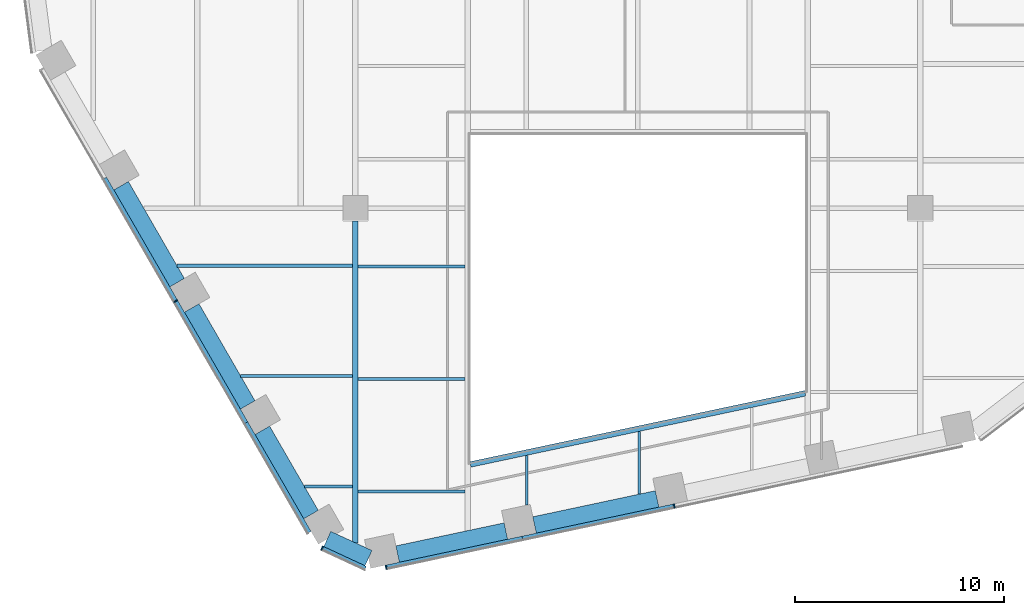
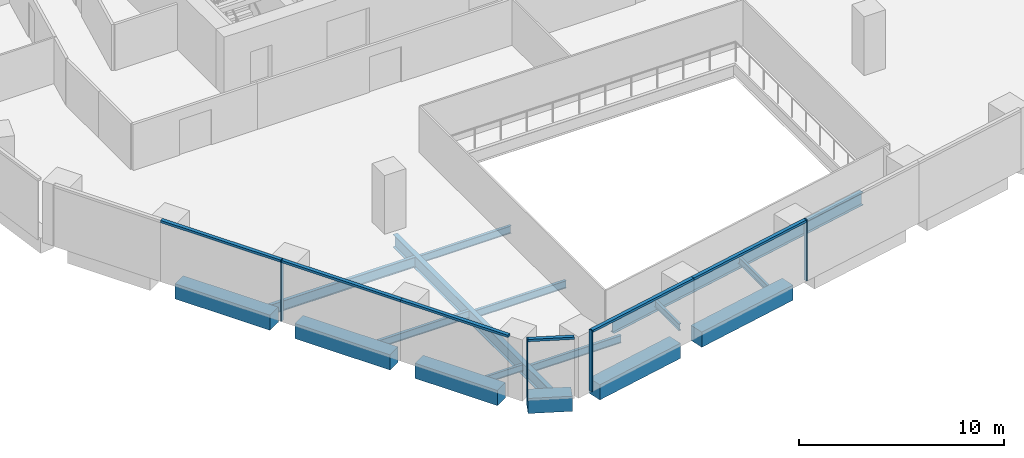
# One storey, part 2 of 16: 16 beams, 10 members, 3 elements without a shape of their own.
"""IFC4 building model written with IfcOpenShell, lengths in metres."""

from ifc_helpers import new_model, si_unit, direction, frame, origin, origin_2d, place, context, subcontext, project, spatial, rectangle, i_section, extrude, material, layer, layer_set, material_profile, profile_set, type_object, element, aggregate, save


model = new_model("IFC4")

# Units and contexts
model_context = context("Model", 3, precision=1e-05, world=origin(), true_north=direction((0.0, 1.0)))
body_context = subcontext(model_context, "Body", "Model", "MODEL_VIEW")
ifc_project = project(units=[si_unit("LENGTHUNIT", "METRE"), si_unit("AREAUNIT", "SQUARE_METRE"), si_unit("VOLUMEUNIT", "CUBIC_METRE"), si_unit("PLANEANGLEUNIT", "RADIAN"), si_unit("MASSUNIT", "GRAM", prefix="KILO")], contexts=[model_context])

# Site, building, storey
site_placement = place(None, origin())
site = spatial("IfcSite", under=ifc_project, at=site_placement, CompositionType="ELEMENT")
building_placement = place(site_placement, origin())
building = spatial("IfcBuilding", under=site, at=building_placement, Name="Isthmus Gate Tower", CompositionType="ELEMENT")
storey_placement = place(building_placement, frame((0.0, 0.0, 137.10009765625)))
storey = spatial("IfcBuildingStorey", under=building, at=storey_placement, Name="L33", CompositionType="ELEMENT", Elevation=137.10009765625)

# Curtain wall, member
ifc_material_1 = material(Name="Aluminium, pale champagne anodised", Category="aluminium")
ifc_layer = layer(ifc_material_1, 0.199951171875)
ifc_layer_set = layer_set([ifc_layer], Name="CW-1 UNITISED CURTAIN WALL 200 DEEP")
curtain_wall_type = type_object("IfcCurtainWallType", Name="CW-1 UNITISED CURTAIN WALL 200 DEEP", PredefinedType="NOTDEFINED", material=ifc_layer_set)
curtain_wall_1_placement = place(storey_placement, origin())
curtain_wall_1 = element("IfcCurtainWall", 1, at=curtain_wall_1_placement, inside=storey, type_object=curtain_wall_type, Name="CW-1 SW L33", PredefinedType="NOTDEFINED")
ifc_material_2 = material(Name="Aluminium, pale champagne anodised", Category="aluminium")
ifc_material_profile_1 = material_profile(ifc_material_2, rectangle(XDim=0.06005859375, YDim=0.199951171875, at=origin_2d()), Name="60x200")
ifc_profile_set_1 = profile_set([ifc_material_profile_1], Name="Aluminium, pale champagne anodised")
member_type_1 = type_object("IfcMemberType", Name="CW-1 MULLION 60 X 200", PredefinedType="MULLION", material=ifc_profile_set_1)
member_1_placement = place(storey_placement, frame((-22.08935546875, -17.93994140625, 0.0), z_axis=(0.0, 0.0, 1.0), x_axis=(0.5, -0.866025403784, 0.0)))
member_1 = element("IfcMember", 2, at=member_1_placement, type_object=member_type_1, Name="CW-1 mullion", PredefinedType="MULLION", context=body_context, shape_type="SweptSolid", body=[
    extrude(rectangle(XDim=0.06005859375, YDim=0.199951171875, at=origin_2d()), origin(), (0.0, 0.0, 1.0), 3.64990234375),
])

curtain_wall_2_placement = place(storey_placement, origin())
curtain_wall_2 = element("IfcCurtainWall", 3, at=curtain_wall_2_placement, inside=storey, type_object=curtain_wall_type, Name="CW-1 SW-S L33", PredefinedType="NOTDEFINED")
member_2_placement = place(storey_placement, frame((-15.091064453125, -29.74755859375, 0.0), z_axis=(0.0, 0.0, 1.0), x_axis=(0.907256261367, -0.420578264073, 0.0)))
member_2 = element("IfcMember", 4, at=member_2_placement, type_object=member_type_1, Name="CW-1 mullion", PredefinedType="MULLION", context=body_context, shape_type="SweptSolid", body=[
    extrude(rectangle(XDim=0.06005859375, YDim=0.199951171875, at=origin_2d()), origin(), (0.0, 0.0, 1.0), 3.64990234375),
])

# Curtain wall, members
curtain_wall_3_placement = place(storey_placement, origin())
curtain_wall_3 = element("IfcCurtainWall", 5, at=curtain_wall_3_placement, inside=storey, type_object=curtain_wall_type, Name="CW-1 S L33", PredefinedType="NOTDEFINED")
member_3_placement = place(storey_placement, frame((-12.03369140625, -30.66015625, 0.0), z_axis=(0.0, 0.0, 1.0), x_axis=(0.978147600734, 0.207911690818, 0.0)))
member_3 = element("IfcMember", 6, at=member_3_placement, type_object=member_type_1, Name="CW-1 mullion", PredefinedType="MULLION", context=body_context, shape_type="SweptSolid", body=[
    extrude(rectangle(XDim=0.06005859375, YDim=0.199951171875, at=origin_2d()), origin(), (0.0, 0.0, 1.0), 3.64990234375),
])
member_4_placement = place(storey_placement, frame((1.740234375, -27.732421875, 0.0), z_axis=(0.0, 0.0, 1.0), x_axis=(0.978147600734, 0.207911690818, 0.0)))
member_4 = element("IfcMember", 7, at=member_4_placement, type_object=member_type_1, Name="CW-1 mullion", PredefinedType="MULLION", context=body_context, shape_type="SweptSolid", body=[
    extrude(rectangle(XDim=0.06005859375, YDim=0.199951171875, at=origin_2d()), origin(), (0.0, 0.0, 1.0), 3.64990234375),
])

# Member
ifc_material_3 = material(Name="Aluminium, pale champagne anodised", Category="aluminium")
ifc_material_profile_2 = material_profile(ifc_material_3, rectangle(XDim=0.199951171875, YDim=0.139892578125, at=origin_2d()), Name="200x140")
ifc_profile_set_2 = profile_set([ifc_material_profile_2], Name="Aluminium, pale champagne anodised")
member_type_2 = type_object("IfcMemberType", Name="CW-1 TRANSOM 200 X 140", PredefinedType="USERDEFINED", material=ifc_profile_set_2)
member_5_placement = place(storey_placement, frame((-25.4794921875, -12.068115234375, 3.579833984375), z_axis=(0.49998230858, -0.86603561769, 0.0), x_axis=(0.86603561769, 0.49998230858, 0.0)))
member_5 = element("IfcMember", 8, at=member_5_placement, type_object=member_type_2, Name="CW-1 transom", ObjectType="TRANSOM", PredefinedType="USERDEFINED", context=body_context, shape_type="SweptSolid", body=[
    extrude(rectangle(XDim=0.199951171875, YDim=0.139892578125, at=origin_2d()), origin(), (0.0, 0.0, 1.0), 6.750244140625),
])

member_6_placement = place(storey_placement, frame((-22.074462890625, -17.9658203125, 3.579833984375), z_axis=(0.499981482168, -0.866036094796, 0.0), x_axis=(0.866036094796, 0.499981482168, 0.0)))
member_6 = element("IfcMember", 9, at=member_6_placement, type_object=member_type_2, Name="CW-1 transom", ObjectType="TRANSOM", PredefinedType="USERDEFINED", context=body_context, shape_type="SweptSolid", body=[
    extrude(rectangle(XDim=0.199951171875, YDim=0.139892578125, at=origin_2d()), origin(), (0.0, 0.0, 1.0), 6.690185546875),
])

member_7_placement = place(storey_placement, frame((-18.7294921875, -23.759765625, 3.579833984375), z_axis=(0.50001470477, -0.866016913815, 0.0), x_axis=(0.866016913815, 0.50001470477, 0.0)))
member_7 = element("IfcMember", 10, at=member_7_placement, type_object=member_type_2, Name="CW-1 transom", ObjectType="TRANSOM", PredefinedType="USERDEFINED", context=body_context, shape_type="SweptSolid", body=[
    extrude(rectangle(XDim=0.199951171875, YDim=0.139892578125, at=origin_2d()), origin(), (0.0, 0.0, 1.0), 6.050048828125),
])

aggregate(curtain_wall_1, [member_5, member_1, member_6, member_7])

member_8_placement = place(storey_placement, frame((-15.06396484375, -29.76025390625, 3.579833984375), z_axis=(0.907246225564, -0.420599912268, 0.0), x_axis=(0.420599912268, 0.907246225564, 0.0)))
member_8 = element("IfcMember", 11, at=member_8_placement, type_object=member_type_2, Name="CW-1 transom", ObjectType="TRANSOM", PredefinedType="USERDEFINED", context=body_context, shape_type="SweptSolid", body=[
    extrude(rectangle(XDim=0.199951171875, YDim=0.139892578125, at=origin_2d()), origin(), (0.0, 0.0, 1.0), 2.258544921875),
])

aggregate(curtain_wall_2, [member_2, member_8])

member_9_placement = place(storey_placement, frame((-12.00439453125, -30.65380859375, 3.579833984375), z_axis=(0.97814593552, 0.207919524877, 0.0), x_axis=(-0.207919524877, 0.97814593552, 0.0)))
member_9 = element("IfcMember", 12, at=member_9_placement, type_object=member_type_2, Name="CW-1 transom", ObjectType="TRANSOM", PredefinedType="USERDEFINED", context=body_context, shape_type="SweptSolid", body=[
    extrude(rectangle(XDim=0.199951171875, YDim=0.139892578125, at=origin_2d()), origin(), (0.0, 0.0, 1.0), 6.630859375),
])

member_10_placement = place(storey_placement, frame((-5.5185546875, -29.275146484375, 3.579833984375), z_axis=(0.978147683684, 0.207911300568, 0.0), x_axis=(-0.207911300568, 0.978147683684, 0.0)))
member_10 = element("IfcMember", 13, at=member_10_placement, type_object=member_type_2, Name="CW-1 transom", ObjectType="TRANSOM", PredefinedType="USERDEFINED", context=body_context, shape_type="SweptSolid", body=[
    extrude(rectangle(XDim=0.199951171875, YDim=0.139892578125, at=origin_2d()), origin(), (0.0, 0.0, 1.0), 7.390869140625),
])

aggregate(curtain_wall_3, [member_3, member_9, member_10, member_4])

# Beams
ifc_material_4 = material(Name="Concrete f'c 60 MPa", Category="concrete")
ifc_material_profile_3 = material_profile(ifc_material_4, rectangle(XDim=0.800048828125, YDim=0.89990234375, at=origin_2d()), Name="RC 800X900")
ifc_profile_set_3 = profile_set([ifc_material_profile_3], Name="Concrete f'c 60 MPa")
beam_type_1 = type_object("IfcBeamType", Name="RC SPANDREL 800 X 900", PredefinedType="SPANDREL", material=ifc_profile_set_3)
beam_1_placement = place(storey_placement, frame((0.922119140625, -27.39501953125, -0.4501953125), z_axis=(-0.978145798872, -0.20792016773, 0.0), x_axis=(0.20792016773, -0.978145798872, 0.0)))
element("IfcBeam", 14, at=beam_1_placement, inside=storey, type_object=beam_type_1, Name="str-spandrel-L33-13", PredefinedType="SPANDREL", context=body_context, shape_type="SweptSolid", body=[
    extrude(rectangle(XDim=0.800048828125, YDim=0.89990234375, at=origin_2d()), origin(), (0.0, 0.0, 1.0), 5.99072265625),
])
beam_2_placement = place(storey_placement, frame((-6.30712890625, -28.931640625, -0.4501953125), z_axis=(-0.978145479826, -0.207921668653, 0.0), x_axis=(0.207921668653, -0.978145479826, 0.0)))
element("IfcBeam", 15, at=beam_2_placement, inside=storey, type_object=beam_type_1, Name="str-spandrel-L33-14", PredefinedType="SPANDREL", context=body_context, shape_type="SweptSolid", body=[
    extrude(rectangle(XDim=0.800048828125, YDim=0.89990234375, at=origin_2d()), origin(), (0.0, 0.0, 1.0), 5.291015625),
])
beam_3_placement = place(storey_placement, frame((-12.87255859375, -30.224853515625, -0.4501953125), z_axis=(-0.907290744498, 0.420503870314, 0.0), x_axis=(-0.420503870314, -0.907290744498, 0.0)))
element("IfcBeam", 16, at=beam_3_placement, inside=storey, type_object=beam_type_1, Name="str-spandrel-L33-15", PredefinedType="SPANDREL", context=body_context, shape_type="SweptSolid", body=[
    extrude(rectangle(XDim=0.800048828125, YDim=0.89990234375, at=origin_2d()), origin(), (0.0, 0.0, 1.0), 2.173095703125),
])
beam_4_placement = place(storey_placement, frame((-15.621337890625, -28.14306640625, -0.4501953125), z_axis=(-0.499984536904, 0.866034331223, 0.0), x_axis=(-0.866034331223, -0.499984536904, 0.0)))
element("IfcBeam", 17, at=beam_4_placement, inside=storey, type_object=beam_type_1, Name="str-spandrel-L33-16", PredefinedType="SPANDREL", context=body_context, shape_type="SweptSolid", body=[
    extrude(rectangle(XDim=0.800048828125, YDim=0.89990234375, at=origin_2d()), origin(), (0.0, 0.0, 1.0), 4.650146484375),
])
for number, where, z_axis, x_axis, name in (
    (18, (-18.646484375, -22.903564453125, -0.4501953125), (-0.500001594578, 0.866024483152, 0.0), (-0.866024483152, -0.500001594578, 0.0), "str-spandrel-L33-17"),
    (19, (-22.021484375, -17.0576171875, -0.4501953125), (-0.500001594578, 0.866024483152, 0.0), (-0.866024483152, -0.500001594578, 0.0), "str-spandrel-L33-18"),
):
    element("IfcBeam", number, at=place(storey_placement, frame(where, z_axis=z_axis, x_axis=x_axis)), inside=storey, type_object=beam_type_1, Name=name, PredefinedType="SPANDREL", context=body_context, shape_type="SweptSolid", body=[
        extrude(rectangle(XDim=0.800048828125, YDim=0.89990234375, at=origin_2d()), origin(), (0.0, 0.0, 1.0), 5.35009765625),
    ])
ifc_material_5 = material(Name="Structural steel ASTM A992 Gr 50", Category="steel")
ifc_material_profile_4 = material_profile(ifc_material_5, i_section(OverallWidth=0.1396484375, OverallDepth=0.4033203125, WebThickness=0.00634765625, FlangeThickness=0.010986328125, at=origin_2d()), Name="W16X31")
ifc_profile_set_4 = profile_set([ifc_material_profile_4], Name="Structural steel ASTM A992 Gr 50")
beam_type_2 = type_object("IfcBeamType", Name="STEEL FLOOR BEAM W16X31", PredefinedType="JOIST", material=ifc_profile_set_4)
beam_5_placement = place(storey_placement, frame((-15.937744140625, -26.795166015625, -0.351806640625), z_axis=(1.0, 0.0, 0.0), x_axis=(0.0, 1.0, 0.0)))
element("IfcBeam", 20, at=beam_5_placement, inside=storey, type_object=beam_type_2, Name="str-beam-L33-02-00", PredefinedType="JOIST", context=body_context, shape_type="SweptSolid", body=[
    extrude(i_section(OverallWidth=0.1396484375, OverallDepth=0.4033203125, WebThickness=0.00634765625, FlangeThickness=0.010986328125, at=origin_2d()), origin(), (0.0, 0.0, 1.0), 2.304443359375),
])
beam_6_placement = place(storey_placement, frame((-5.311279296875, -27.69775390625, -0.351806640625), z_axis=(0.0, 1.0, 0.0), x_axis=(-1.0, 0.0, 0.0)))
element("IfcBeam", 21, at=beam_6_placement, inside=storey, type_object=beam_type_2, Name="str-beam-L33-07-00", PredefinedType="JOIST", context=body_context, shape_type="SweptSolid", body=[
    extrude(i_section(OverallWidth=0.1396484375, OverallDepth=0.4033203125, WebThickness=0.00634765625, FlangeThickness=0.010986328125, at=origin_2d()), origin(), (0.0, 0.0, 1.0), 2.385498046875),
])
beam_7_placement = place(storey_placement, frame((0.06591796875, -27.168212890625, -0.351806640625), z_axis=(0.0, 1.0, 0.0), x_axis=(-1.0, 0.0, 0.0)))
element("IfcBeam", 22, at=beam_7_placement, inside=storey, type_object=beam_type_2, Name="str-beam-L33-07-01", PredefinedType="JOIST", context=body_context, shape_type="SweptSolid", body=[
    extrude(i_section(OverallWidth=0.1396484375, OverallDepth=0.4033203125, WebThickness=0.00634765625, FlangeThickness=0.010986328125, at=origin_2d()), origin(), (0.0, 0.0, 1.0), 2.9990234375),
])
ifc_material_6 = material(Name="Structural steel ASTM A992 Gr 50", Category="steel")
ifc_material_profile_5 = material_profile(ifc_material_6, i_section(OverallWidth=0.15234375, OverallDepth=0.45068359375, WebThickness=0.0078125, FlangeThickness=0.010986328125, at=origin_2d()), Name="W18X35")
ifc_profile_set_5 = profile_set([ifc_material_profile_5], Name="Structural steel ASTM A992 Gr 50")
beam_type_3 = type_object("IfcBeamType", Name="STEEL FLOOR BEAM W18X35", PredefinedType="JOIST", material=ifc_profile_set_5)
beam_8_placement = place(storey_placement, frame((-18.981689453125, -21.52294921875, -0.37548828125), z_axis=(1.0, 0.0, 0.0), x_axis=(0.0, 1.0, 0.0)))
element("IfcBeam", 23, at=beam_8_placement, inside=storey, type_object=beam_type_3, Name="str-beam-L33-02-01", PredefinedType="JOIST", context=body_context, shape_type="SweptSolid", body=[
    extrude(i_section(OverallWidth=0.15234375, OverallDepth=0.45068359375, WebThickness=0.0078125, FlangeThickness=0.010986328125, at=origin_2d()), origin(), (0.0, 0.0, 1.0), 5.348388671875),
])
for number, where, z_axis, x_axis, name in (
    (24, (-13.36669921875, -27.04736328125, -0.37548828125), (1.0, 0.0, 0.0), (0.0, 1.0, 0.0), "str-beam-L33-03-00"),
    (25, (-13.36669921875, -21.67041015625, -0.37548828125), (1.0, 0.0, 0.0), (0.0, 1.0, 0.0), "str-beam-L33-03-01"),
    (26, (-13.36669921875, -16.293212890625, -0.37548828125), (1.0, 0.0, 0.0), (0.0, 1.0, 0.0), "str-beam-L33-03-02"),
):
    element("IfcBeam", number, at=place(storey_placement, frame(where, z_axis=z_axis, x_axis=x_axis)), inside=storey, type_object=beam_type_3, Name=name, PredefinedType="JOIST", context=body_context, shape_type="SweptSolid", body=[
        extrude(i_section(OverallWidth=0.15234375, OverallDepth=0.45068359375, WebThickness=0.0078125, FlangeThickness=0.010986328125, at=origin_2d()), origin(), (0.0, 0.0, 1.0), 5.10009765625),
    ])
ifc_material_7 = material(Name="Structural steel ASTM A992 Gr 50", Category="steel")
ifc_material_profile_6 = material_profile(ifc_material_7, i_section(OverallWidth=0.177734375, OverallDepth=0.60009765625, WebThickness=0.009521484375, FlangeThickness=0.0126953125, at=origin_2d()), Name="W24X55")
ifc_profile_set_6 = profile_set([ifc_material_profile_6], Name="Structural steel ASTM A992 Gr 50")
beam_type_4 = type_object("IfcBeamType", Name="STEEL FLOOR BEAM W24X55", PredefinedType="JOIST", material=ifc_profile_set_6)
beam_9_placement = place(storey_placement, frame((-22.025634765625, -16.25048828125, -0.4501953125), z_axis=(1.0, 0.0, 0.0), x_axis=(0.0, 1.0, 0.0)))
element("IfcBeam", 27, at=beam_9_placement, inside=storey, type_object=beam_type_4, Name="str-beam-L33-02-02", PredefinedType="JOIST", context=body_context, shape_type="SweptSolid", body=[
    extrude(i_section(OverallWidth=0.177734375, OverallDepth=0.60009765625, WebThickness=0.009521484375, FlangeThickness=0.0126953125, at=origin_2d()), origin(), (0.0, 0.0, 1.0), 8.392333984375),
])
ifc_material_8 = material(Name="Structural steel ASTM A992 Gr 50", Category="steel")
ifc_material_profile_7 = material_profile(ifc_material_8, i_section(OverallWidth=0.2666015625, OverallDepth=0.7587890625, WebThickness=0.014404296875, FlangeThickness=0.01904296875, at=origin_2d()), Name="W30X108")
ifc_profile_set_7 = profile_set([ifc_material_profile_7], Name="Structural steel ASTM A992 Gr 50")
beam_type_5 = type_object("IfcBeamType", Name="STEEL GIRDER W30X108", PredefinedType="BEAM", material=ifc_profile_set_7)
beam_10_placement = place(storey_placement, frame((-13.5, -29.4931640625, -0.529541015625), z_axis=(0.0, 1.0, 0.0), x_axis=(-1.0, 0.0, 0.0)))
element("IfcBeam", 28, at=beam_10_placement, inside=storey, type_object=beam_type_5, Name="str-girder-L33-07", PredefinedType="BEAM", context=body_context, shape_type="SweptSolid", body=[
    extrude(i_section(OverallWidth=0.2666015625, OverallDepth=0.7587890625, WebThickness=0.014404296875, FlangeThickness=0.01904296875, at=origin_2d()), origin(), (0.0, 0.0, 1.0), 15.39306640625),
])
ifc_material_9 = material(Name="Structural steel ASTM A992 Gr 50", Category="steel")
ifc_material_profile_8 = material_profile(ifc_material_9, i_section(OverallWidth=0.2666015625, OverallDepth=0.7587890625, WebThickness=0.014404296875, FlangeThickness=0.01904296875, at=origin_2d()), Name="W30X108")
ifc_profile_set_8 = profile_set([ifc_material_profile_8], Name="Structural steel ASTM A992 Gr 50")
beam_type_6 = type_object("IfcBeamType", Name="STEEL TRIMMER W30X108", PredefinedType="BEAM", material=ifc_profile_set_8)
beam_11_placement = place(storey_placement, frame((-8.0, -25.747314453125, -0.529541015625), z_axis=(0.978147924985, 0.20791016533, 0.0), x_axis=(-0.20791016533, 0.978147924985, 0.0)))
element("IfcBeam", 29, at=beam_11_placement, inside=storey, type_object=beam_type_6, Name="str-trimmer-L33-03", PredefinedType="BEAM", context=body_context, shape_type="SweptSolid", body=[
    extrude(i_section(OverallWidth=0.2666015625, OverallDepth=0.7587890625, WebThickness=0.014404296875, FlangeThickness=0.01904296875, at=origin_2d()), origin(), (0.0, 0.0, 1.0), 16.357421875),
])

save(model, "model.ifc")
